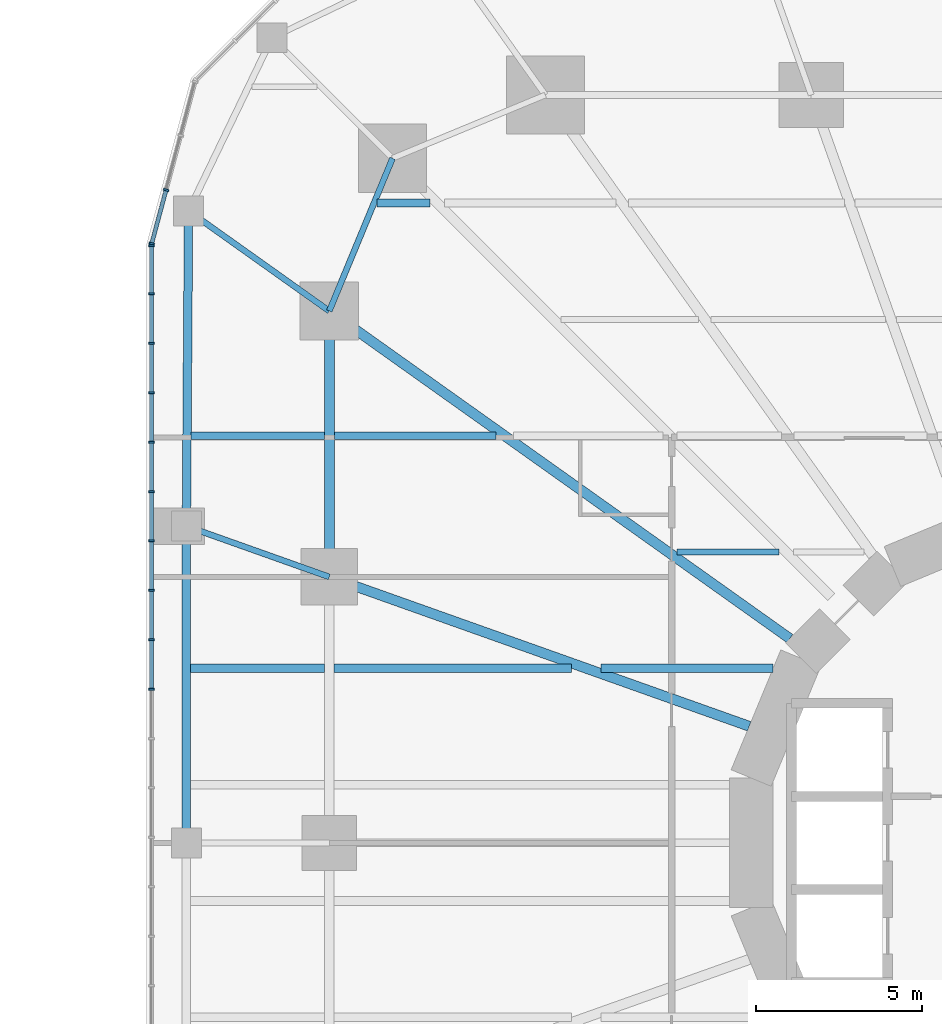
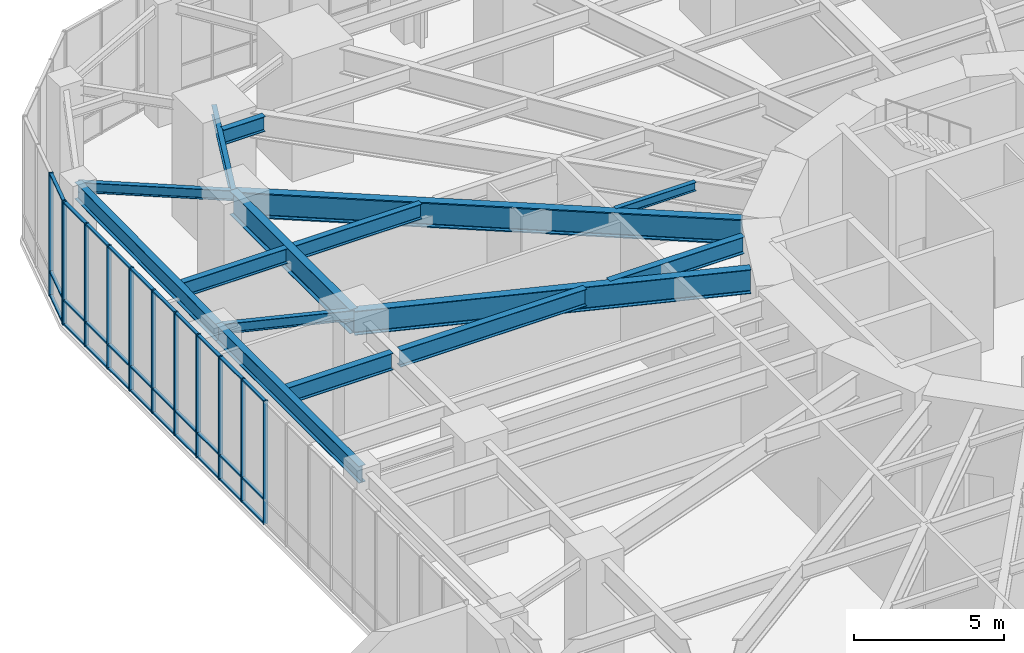
# One storey, part 9 of 24: 42 members, 15 beams, 2 elements without a shape of their own.
"""IFC4 building model written with IfcOpenShell, lengths in metres."""

from ifc_helpers import new_model, si_unit, direction, frame, origin, origin_2d, place, context, subcontext, project, spatial, rectangle, i_section, extrude, material, material_profile, profile_set, type_object, element, aggregate, save


model = new_model("IFC4")

# Units and contexts
model_context = context("Model", 3, precision=1e-05, world=origin(), true_north=direction((0.0, 1.0)))
body_context = subcontext(model_context, "Body", "Model", "MODEL_VIEW")
ifc_project = project(units=[si_unit("LENGTHUNIT", "METRE"), si_unit("AREAUNIT", "SQUARE_METRE"), si_unit("VOLUMEUNIT", "CUBIC_METRE"), si_unit("PLANEANGLEUNIT", "RADIAN"), si_unit("MASSUNIT", "GRAM", prefix="KILO")], contexts=[model_context])

# Site, building, storey
site_placement = place(None, origin())
site = spatial("IfcSite", under=ifc_project, at=site_placement, CompositionType="ELEMENT")
building_placement = place(site_placement, origin())
building = spatial("IfcBuilding", under=site, at=building_placement, Name="Nakasero Lantern House", CompositionType="ELEMENT")
storey_placement = place(building_placement, frame((0.0, 0.0, 6.0)))
storey = spatial("IfcBuildingStorey", under=building, at=storey_placement, Name="L01", CompositionType="ELEMENT", Elevation=6.0)

# Beams
ifc_material_1 = material(Name="Steel S355", Category="steel")
ifc_material_profile_1 = material_profile(ifc_material_1, i_section(OverallWidth=0.17138671875, OverallDepth=0.35498046875, WebThickness=0.00732421875, FlangeThickness=0.011474609375, FilletRadius=0.01025390625, at=origin_2d()), Name="UB 356x171x51")
ifc_profile_set_1 = profile_set([ifc_material_profile_1], Name="Steel S355")
beam_type_1 = type_object("IfcBeamType", Name="Infill beam UB 356x171x51", PredefinedType="JOIST", material=ifc_profile_set_1)
beam_1_placement = place(storey_placement, frame((-12.043212890625, 8.75, 4.62255859375), z_axis=(1.0, 0.0, 0.0), x_axis=(0.0, 1.0, 0.0)))
element("IfcBeam", 1, at=beam_1_placement, inside=storey, type_object=beam_type_1, Name="Infill beam L02 11.1", PredefinedType="JOIST", context=body_context, shape_type="SweptSolid", body=[
    extrude(i_section(OverallWidth=0.17138671875, OverallDepth=0.35498046875, WebThickness=0.00732421875, FlangeThickness=0.011474609375, FilletRadius=0.01025390625, at=origin_2d()), origin(), (0.0, 0.0, 1.0), 3.0771484375),
])
ifc_material_2 = material(Name="Steel S355", Category="steel")
ifc_material_profile_2 = material_profile(ifc_material_2, i_section(OverallWidth=0.22900390625, OverallDepth=0.6123046875, WebThickness=0.011962890625, FlangeThickness=0.01953125, FilletRadius=0.0126953125, at=origin_2d()), Name="UB 610x229x125")
ifc_profile_set_2 = profile_set([ifc_material_profile_2], Name="Steel S355")
beam_type_2 = type_object("IfcBeamType", Name="Infill beam UB 610x229x125", PredefinedType="JOIST", material=ifc_profile_set_2)
beam_2_placement = place(storey_placement, frame((-26.653076171875, 12.25, 4.493896484375), z_axis=(1.0, 0.0, 0.0), x_axis=(0.0, 1.0, 0.0)))
element("IfcBeam", 2, at=beam_2_placement, inside=storey, type_object=beam_type_2, Name="Infill beam L02 12.1", PredefinedType="JOIST", context=body_context, shape_type="SweptSolid", body=[
    extrude(i_section(OverallWidth=0.22900390625, OverallDepth=0.6123046875, WebThickness=0.011962890625, FlangeThickness=0.01953125, FilletRadius=0.0126953125, at=origin_2d()), origin(), (0.0, 0.0, 1.0), 4.003173828125),
])
beam_3_placement = place(storey_placement, frame((-22.35009765625, 12.25, 4.493896484375), z_axis=(1.0, 0.0, 0.0), x_axis=(0.0, 1.0, 0.0)))
element("IfcBeam", 3, at=beam_3_placement, inside=storey, type_object=beam_type_2, Name="Infill beam L02 12.2", PredefinedType="JOIST", context=body_context, shape_type="SweptSolid", body=[
    extrude(i_section(OverallWidth=0.22900390625, OverallDepth=0.6123046875, WebThickness=0.011962890625, FlangeThickness=0.01953125, FilletRadius=0.0126953125, at=origin_2d()), origin(), (0.0, 0.0, 1.0), 4.862060546875),
])
beam_4_placement = place(storey_placement, frame((-21.0576171875, 19.25, 4.493896484375), z_axis=(1.0, 0.0, 0.0), x_axis=(0.0, 1.0, 0.0)))
element("IfcBeam", 4, at=beam_4_placement, inside=storey, type_object=beam_type_2, Name="Infill beam L02 14.1", PredefinedType="JOIST", context=body_context, shape_type="SweptSolid", body=[
    extrude(i_section(OverallWidth=0.22900390625, OverallDepth=0.6123046875, WebThickness=0.011962890625, FlangeThickness=0.01953125, FilletRadius=0.0126953125, at=origin_2d()), origin(), (0.0, 0.0, 1.0), 1.591552734375),
])
ifc_material_3 = material(Name="Steel S355", Category="steel")
ifc_material_profile_3 = material_profile(ifc_material_3, i_section(OverallWidth=0.253662109375, OverallDepth=0.68359375, WebThickness=0.012451171875, FlangeThickness=0.01904296875, FilletRadius=0.01513671875, at=origin_2d()), Name="UB 686x254x140")
ifc_profile_set_3 = profile_set([ifc_material_profile_3], Name="Steel S355")
beam_type_3 = type_object("IfcBeamType", Name="Infill beam UB 686x254x140", PredefinedType="JOIST", material=ifc_profile_set_3)
beam_5_placement = place(storey_placement, frame((-26.672119140625, 5.25, 4.458251953125), z_axis=(1.0, 0.0, 0.0), x_axis=(0.0, 1.0, 0.0)))
element("IfcBeam", 5, at=beam_5_placement, inside=storey, type_object=beam_type_3, Name="Infill beam L02 10.1", PredefinedType="JOIST", context=body_context, shape_type="SweptSolid", body=[
    extrude(i_section(OverallWidth=0.253662109375, OverallDepth=0.68359375, WebThickness=0.012451171875, FlangeThickness=0.01904296875, FilletRadius=0.01513671875, at=origin_2d()), origin(), (0.0, 0.0, 1.0), 4.02587890625),
])
beam_6_placement = place(storey_placement, frame((-22.353759765625, 5.25, 4.458251953125), z_axis=(1.0, 0.0, 0.0), x_axis=(0.0, 1.0, 0.0)))
element("IfcBeam", 6, at=beam_6_placement, inside=storey, type_object=beam_type_3, Name="Infill beam L02 10.2", PredefinedType="JOIST", context=body_context, shape_type="SweptSolid", body=[
    extrude(i_section(OverallWidth=0.253662109375, OverallDepth=0.68359375, WebThickness=0.012451171875, FlangeThickness=0.01904296875, FilletRadius=0.01513671875, at=origin_2d()), origin(), (0.0, 0.0, 1.0), 7.140380859375),
])
beam_7_placement = place(storey_placement, frame((-14.31787109375, 5.25, 4.458251953125), z_axis=(1.0, 0.0, 0.0), x_axis=(0.0, 1.0, 0.0)))
element("IfcBeam", 7, at=beam_7_placement, inside=storey, type_object=beam_type_3, Name="Infill beam L02 10.3", PredefinedType="JOIST", context=body_context, shape_type="SweptSolid", body=[
    extrude(i_section(OverallWidth=0.253662109375, OverallDepth=0.68359375, WebThickness=0.012451171875, FlangeThickness=0.01904296875, FilletRadius=0.01513671875, at=origin_2d()), origin(), (0.0, 0.0, 1.0), 5.173095703125),
])

# Curtain wall, members
ifc_material_4 = material(Name="Aluminium 6063-T6 and glass", Category="aluminium")
curtain_wall_type = type_object("IfcCurtainWallType", Name="Podium curtain wall CW-2", PredefinedType="USERDEFINED", material=ifc_material_4)
curtain_wall_1_placement = place(storey_placement, origin())
curtain_wall_1 = element("IfcCurtainWall", 8, at=curtain_wall_1_placement, inside=storey, type_object=curtain_wall_type, Name="Curtain wall CW-2 L01", ObjectType="STICK CURTAIN WALL", PredefinedType="USERDEFINED")
ifc_material_5 = material(Name="Aluminium 6063-T6", Category="aluminium")
ifc_material_profile_4 = material_profile(ifc_material_5, rectangle(XDim=0.06005859375, YDim=0.159912109375, at=origin_2d()), Name="CW-2 mullion 60x160")
ifc_profile_set_4 = profile_set([ifc_material_profile_4], Name="Aluminium 6063-T6")
member_type_1 = type_object("IfcMemberType", Name="Mullion CW-2", PredefinedType="MULLION", material=ifc_profile_set_4)
member_1_placement = place(storey_placement, frame((-27.41015625, 19.6416015625, 0.0), z_axis=(0.0, 0.0, 1.0), x_axis=(-0.258819045103, -0.965925826289, 0.0)))
member_1 = element("IfcMember", 9, at=member_1_placement, type_object=member_type_1, Name="CW-2 mullion 3", PredefinedType="MULLION", context=body_context, shape_type="SweptSolid", body=[
    extrude(rectangle(XDim=0.06005859375, YDim=0.159912109375, at=origin_2d()), origin(), (0.0, 0.0, 1.0), 5.0),
])
member_2_placement = place(storey_placement, frame((-27.84228515625, 18.029052734375, 0.0), z_axis=(0.0, 0.0, 1.0), x_axis=(-0.258819045103, -0.965925826289, 0.0)))
member_2 = element("IfcMember", 10, at=member_2_placement, type_object=member_type_1, Name="CW-2 mullion 4", PredefinedType="MULLION", context=body_context, shape_type="SweptSolid", body=[
    extrude(rectangle(XDim=0.06005859375, YDim=0.159912109375, at=origin_2d()), origin(), (0.0, 0.0, 1.0), 5.0),
])

curtain_wall_2_placement = place(storey_placement, origin())
curtain_wall_2 = element("IfcCurtainWall", 11, at=curtain_wall_2_placement, inside=storey, type_object=curtain_wall_type, Name="Curtain wall CW-2 L01", ObjectType="STICK CURTAIN WALL", PredefinedType="USERDEFINED")
member_3_placement = place(storey_placement, frame((-27.85009765625, 17.969970703125, 0.0), z_axis=(0.0, 0.0, 1.0), x_axis=(0.0, -1.0, 0.0)))
member_3 = element("IfcMember", 12, at=member_3_placement, type_object=member_type_1, Name="CW-2 mullion 1", PredefinedType="MULLION", context=body_context, shape_type="SweptSolid", body=[
    extrude(rectangle(XDim=0.06005859375, YDim=0.159912109375, at=origin_2d()), origin(), (0.0, 0.0, 1.0), 5.0),
])
member_4_placement = place(storey_placement, frame((-27.85009765625, 16.513916015625, 0.0), z_axis=(0.0, 0.0, 1.0), x_axis=(0.0, -1.0, 0.0)))
member_4 = element("IfcMember", 13, at=member_4_placement, type_object=member_type_1, Name="CW-2 mullion 2", PredefinedType="MULLION", context=body_context, shape_type="SweptSolid", body=[
    extrude(rectangle(XDim=0.06005859375, YDim=0.159912109375, at=origin_2d()), origin(), (0.0, 0.0, 1.0), 5.0),
])
member_5_placement = place(storey_placement, frame((-27.85009765625, 15.02783203125, 0.0), z_axis=(0.0, 0.0, 1.0), x_axis=(0.0, -1.0, 0.0)))
member_5 = element("IfcMember", 14, at=member_5_placement, type_object=member_type_1, Name="CW-2 mullion 3", PredefinedType="MULLION", context=body_context, shape_type="SweptSolid", body=[
    extrude(rectangle(XDim=0.06005859375, YDim=0.159912109375, at=origin_2d()), origin(), (0.0, 0.0, 1.0), 5.0),
])
member_6_placement = place(storey_placement, frame((-27.85009765625, 13.541748046875, 0.0), z_axis=(0.0, 0.0, 1.0), x_axis=(0.0, -1.0, 0.0)))
member_6 = element("IfcMember", 15, at=member_6_placement, type_object=member_type_1, Name="CW-2 mullion 4", PredefinedType="MULLION", context=body_context, shape_type="SweptSolid", body=[
    extrude(rectangle(XDim=0.06005859375, YDim=0.159912109375, at=origin_2d()), origin(), (0.0, 0.0, 1.0), 5.0),
])
member_7_placement = place(storey_placement, frame((-27.85009765625, 12.0556640625, 0.0), z_axis=(0.0, 0.0, 1.0), x_axis=(0.0, -1.0, 0.0)))
member_7 = element("IfcMember", 16, at=member_7_placement, type_object=member_type_1, Name="CW-2 mullion 5", PredefinedType="MULLION", context=body_context, shape_type="SweptSolid", body=[
    extrude(rectangle(XDim=0.06005859375, YDim=0.159912109375, at=origin_2d()), origin(), (0.0, 0.0, 1.0), 5.0),
])
member_8_placement = place(storey_placement, frame((-27.85009765625, 10.5693359375, 0.0), z_axis=(0.0, 0.0, 1.0), x_axis=(0.0, -1.0, 0.0)))
member_8 = element("IfcMember", 17, at=member_8_placement, type_object=member_type_1, Name="CW-2 mullion 6", PredefinedType="MULLION", context=body_context, shape_type="SweptSolid", body=[
    extrude(rectangle(XDim=0.06005859375, YDim=0.159912109375, at=origin_2d()), origin(), (0.0, 0.0, 1.0), 5.0),
])
member_9_placement = place(storey_placement, frame((-27.85009765625, 9.083251953125, 0.0), z_axis=(0.0, 0.0, 1.0), x_axis=(0.0, -1.0, 0.0)))
member_9 = element("IfcMember", 18, at=member_9_placement, type_object=member_type_1, Name="CW-2 mullion 7", PredefinedType="MULLION", context=body_context, shape_type="SweptSolid", body=[
    extrude(rectangle(XDim=0.06005859375, YDim=0.159912109375, at=origin_2d()), origin(), (0.0, 0.0, 1.0), 5.0),
])
member_10_placement = place(storey_placement, frame((-27.85009765625, 7.59716796875, 0.0), z_axis=(0.0, 0.0, 1.0), x_axis=(0.0, -1.0, 0.0)))
member_10 = element("IfcMember", 19, at=member_10_placement, type_object=member_type_1, Name="CW-2 mullion 8", PredefinedType="MULLION", context=body_context, shape_type="SweptSolid", body=[
    extrude(rectangle(XDim=0.06005859375, YDim=0.159912109375, at=origin_2d()), origin(), (0.0, 0.0, 1.0), 5.0),
])
member_11_placement = place(storey_placement, frame((-27.85009765625, 6.111083984375, 0.0), z_axis=(0.0, 0.0, 1.0), x_axis=(0.0, -1.0, 0.0)))
member_11 = element("IfcMember", 20, at=member_11_placement, type_object=member_type_1, Name="CW-2 mullion 9", PredefinedType="MULLION", context=body_context, shape_type="SweptSolid", body=[
    extrude(rectangle(XDim=0.06005859375, YDim=0.159912109375, at=origin_2d()), origin(), (0.0, 0.0, 1.0), 5.0),
])
member_12_placement = place(storey_placement, frame((-27.85009765625, 4.625, 0.0), z_axis=(0.0, 0.0, 1.0), x_axis=(0.0, -1.0, 0.0)))
member_12 = element("IfcMember", 21, at=member_12_placement, type_object=member_type_1, Name="CW-2 mullion 10", PredefinedType="MULLION", context=body_context, shape_type="SweptSolid", body=[
    extrude(rectangle(XDim=0.06005859375, YDim=0.159912109375, at=origin_2d()), origin(), (0.0, 0.0, 1.0), 5.0),
])

# Beams
ifc_material_6 = material(Name="Steel S355", Category="steel")
ifc_material_profile_5 = material_profile(ifc_material_6, i_section(OverallWidth=0.300048828125, OverallDepth=0.97998046875, WebThickness=0.0166015625, FlangeThickness=0.02587890625, FilletRadius=0.030029296875, at=origin_2d()), Name="UB 1016x305x249")
ifc_profile_set_5 = profile_set([ifc_material_profile_5], Name="Steel S355")
beam_type_4 = type_object("IfcBeamType", Name="Primary beam UB 1016x305x249, span 12 to 15 m", PredefinedType="BEAM", material=ifc_profile_set_5)
beam_8_placement = place(storey_placement, frame((-22.5, 8.0, 4.31005859375), z_axis=(0.942214307118, -0.335010745293, 0.0), x_axis=(0.335010745293, 0.942214307118, 0.0)))
element("IfcBeam", 22, at=beam_8_placement, inside=storey, type_object=beam_type_4, Name="Primary beam L02 B1-C14", PredefinedType="BEAM", context=body_context, shape_type="SweptSolid", body=[
    extrude(i_section(OverallWidth=0.300048828125, OverallDepth=0.97998046875, WebThickness=0.0166015625, FlangeThickness=0.02587890625, FilletRadius=0.030029296875, at=origin_2d()), origin(), (0.0, 0.0, 1.0), 13.408447265625),
])
ifc_material_7 = material(Name="Steel S355", Category="steel")
ifc_material_profile_6 = material_profile(ifc_material_7, i_section(OverallWidth=0.302978515625, OverallDepth=1.015869140625, WebThickness=0.0244140625, FlangeThickness=0.0439453125, FilletRadius=0.030029296875, at=origin_2d()), Name="UB 1016x305x393")
ifc_profile_set_6 = profile_set([ifc_material_profile_6], Name="Steel S355")
beam_type_5 = type_object("IfcBeamType", Name="Primary beam UB 1016x305x393, span over 15 m", PredefinedType="BEAM", material=ifc_profile_set_6)
beam_9_placement = place(storey_placement, frame((-22.5, 16.0, 4.2919921875), z_axis=(0.814952159915, -0.579528236629, 0.0), x_axis=(0.579528236629, 0.814952159915, 0.0)))
element("IfcBeam", 23, at=beam_9_placement, inside=storey, type_object=beam_type_5, Name="Primary beam L02 B1-C13", PredefinedType="BEAM", context=body_context, shape_type="SweptSolid", body=[
    extrude(i_section(OverallWidth=0.302978515625, OverallDepth=1.015869140625, WebThickness=0.0244140625, FlangeThickness=0.0439453125, FilletRadius=0.030029296875, at=origin_2d()), origin(), (0.0, 0.0, 1.0), 17.003173828125),
])
ifc_material_8 = material(Name="Steel S355", Category="steel")
ifc_material_profile_7 = material_profile(ifc_material_8, i_section(OverallWidth=0.179443359375, OverallDepth=0.412841796875, WebThickness=0.009521484375, FlangeThickness=0.01611328125, FilletRadius=0.01025390625, at=origin_2d()), Name="UB 406x178x74")
ifc_profile_set_7 = profile_set([ifc_material_profile_7], Name="Steel S355")
beam_type_6 = type_object("IfcBeamType", Name="Primary beam UB 406x178x74, span to 6 m", PredefinedType="BEAM", material=ifc_profile_set_7)
beam_10_placement = place(storey_placement, frame((-26.733642578125, 19.0107421875, 4.593505859375), z_axis=(0.814941514044, -0.57954320692, 0.0), x_axis=(0.57954320692, 0.814941514044, 0.0)))
element("IfcBeam", 24, at=beam_10_placement, inside=storey, type_object=beam_type_6, Name="Primary beam L02 POD-C13", PredefinedType="BEAM", context=body_context, shape_type="SweptSolid", body=[
    extrude(i_section(OverallWidth=0.179443359375, OverallDepth=0.412841796875, WebThickness=0.009521484375, FlangeThickness=0.01611328125, FilletRadius=0.01025390625, at=origin_2d()), origin(), (0.0, 0.0, 1.0), 5.195068359375),
])
beam_11_placement = place(storey_placement, frame((-26.800048828125, 9.52880859375, 4.593505859375), z_axis=(0.942221444489, -0.334990670833, 0.0), x_axis=(0.334990670833, 0.942221444489, 0.0)))
element("IfcBeam", 25, at=beam_11_placement, inside=storey, type_object=beam_type_6, Name="Primary beam L02 POD-C14", PredefinedType="BEAM", context=body_context, shape_type="SweptSolid", body=[
    extrude(i_section(OverallWidth=0.179443359375, OverallDepth=0.412841796875, WebThickness=0.009521484375, FlangeThickness=0.01611328125, FilletRadius=0.01025390625, at=origin_2d()), origin(), (0.0, 0.0, 1.0), 4.563720703125),
])
ifc_material_9 = material(Name="Steel S355", Category="steel")
ifc_material_profile_8 = material_profile(ifc_material_9, i_section(OverallWidth=0.300048828125, OverallDepth=0.97021484375, WebThickness=0.01611328125, FlangeThickness=0.02099609375, FilletRadius=0.030029296875, at=origin_2d()), Name="UB 1016x305x222")
ifc_profile_set_8 = profile_set([ifc_material_profile_8], Name="Steel S355")
beam_type_7 = type_object("IfcBeamType", Name="Ring beam UB 1016x305x222", PredefinedType="BEAM", material=ifc_profile_set_8)
beam_12_placement = place(storey_placement, frame((-22.5, 16.0, 4.31494140625), z_axis=(0.0, -1.0, 0.0), x_axis=(1.0, 0.0, 0.0)))
element("IfcBeam", 26, at=beam_12_placement, inside=storey, type_object=beam_type_7, Name="Ring beam L02 B1-C13", PredefinedType="BEAM", context=body_context, shape_type="SweptSolid", body=[
    extrude(i_section(OverallWidth=0.300048828125, OverallDepth=0.97021484375, WebThickness=0.01611328125, FlangeThickness=0.02099609375, FilletRadius=0.030029296875, at=origin_2d()), origin(), (0.0, 0.0, 1.0), 8.0),
])
ifc_material_10 = material(Name="Steel S355", Category="steel")
ifc_material_profile_9 = material_profile(ifc_material_10, i_section(OverallWidth=0.177978515625, OverallDepth=0.406494140625, WebThickness=0.0078125, FlangeThickness=0.0126953125, FilletRadius=0.01025390625, at=origin_2d()), Name="UB 406x178x60")
ifc_profile_set_9 = profile_set([ifc_material_profile_9], Name="Steel S355")
beam_type_8 = type_object("IfcBeamType", Name="Ring beam UB 406x178x60", PredefinedType="BEAM", material=ifc_profile_set_9)
beam_13_placement = place(storey_placement, frame((-20.59619140625, 20.59619140625, 4.5966796875), z_axis=(-0.382684080569, -0.923879264016, 0.0), x_axis=(0.923879264016, -0.382684080569, 0.0)))
element("IfcBeam", 27, at=beam_13_placement, inside=storey, type_object=beam_type_8, Name="Ring beam L02 B1-C12", PredefinedType="BEAM", context=body_context, shape_type="SweptSolid", body=[
    extrude(i_section(OverallWidth=0.177978515625, OverallDepth=0.406494140625, WebThickness=0.0078125, FlangeThickness=0.0126953125, FilletRadius=0.01025390625, at=origin_2d()), origin(), (0.0, 0.0, 1.0), 4.974853515625),
])
ifc_material_11 = material(Name="Steel S355", Category="steel")
ifc_material_profile_10 = material_profile(ifc_material_11, i_section(OverallWidth=0.255859375, OverallDepth=0.69287109375, WebThickness=0.014404296875, FlangeThickness=0.023681640625, FilletRadius=0.01513671875, at=origin_2d()), Name="UB 686x254x170")
ifc_profile_set_10 = profile_set([ifc_material_profile_10], Name="Steel S355")
beam_type_9 = type_object("IfcBeamType", Name="Ring beam UB 686x254x170", PredefinedType="BEAM", material=ifc_profile_set_10)
beam_14_placement = place(storey_placement, frame((-26.733642578125, 19.0107421875, 4.45361328125), z_axis=(-0.007003278482, -0.999975476745, 0.0), x_axis=(0.999975476745, -0.007003278482, 0.0)))
element("IfcBeam", 28, at=beam_14_placement, inside=storey, type_object=beam_type_9, Name="Ring beam L02 POD-C13", PredefinedType="BEAM", context=body_context, shape_type="SweptSolid", body=[
    extrude(i_section(OverallWidth=0.255859375, OverallDepth=0.69287109375, WebThickness=0.014404296875, FlangeThickness=0.023681640625, FilletRadius=0.01513671875, at=origin_2d()), origin(), (0.0, 0.0, 1.0), 9.482177734375),
])
beam_15_placement = place(storey_placement, frame((-26.800048828125, 9.52880859375, 4.45361328125), z_axis=(0.0, -1.0, 0.0), x_axis=(1.0, 0.0, 0.0)))
element("IfcBeam", 29, at=beam_15_placement, inside=storey, type_object=beam_type_9, Name="Ring beam L02 POD-C14", PredefinedType="BEAM", context=body_context, shape_type="SweptSolid", body=[
    extrude(i_section(OverallWidth=0.255859375, OverallDepth=0.69287109375, WebThickness=0.014404296875, FlangeThickness=0.023681640625, FilletRadius=0.01513671875, at=origin_2d()), origin(), (0.0, 0.0, 1.0), 9.52880859375),
])

# Member
ifc_material_12 = material(Name="Aluminium 6063-T6", Category="aluminium")
ifc_material_profile_11 = material_profile(ifc_material_12, rectangle(XDim=0.06005859375, YDim=0.1201171875, at=origin_2d()), Name="CW-2 transom 60x120")
ifc_profile_set_11 = profile_set([ifc_material_profile_11], Name="Aluminium 6063-T6")
member_type_2 = type_object("IfcMemberType", Name="Transom CW-2", PredefinedType="USERDEFINED", material=ifc_profile_set_11)
member_13_placement = place(storey_placement, frame((-27.41796875, 19.61279296875, 0.030029296875), z_axis=(-0.258738612203, -0.96594737463, 0.0), x_axis=(0.0, 0.0, 1.0)))
member_13 = element("IfcMember", 30, at=member_13_placement, type_object=member_type_2, Name="CW-2 transom 3.1", ObjectType="TRANSOM", PredefinedType="USERDEFINED", context=body_context, shape_type="SweptSolid", body=[
    extrude(rectangle(XDim=0.06005859375, YDim=0.1201171875, at=origin_2d()), origin(), (0.0, 0.0, 1.0), 1.60986328125),
])

member_14_placement = place(storey_placement, frame((-27.41796875, 19.61279296875, 1.0), z_axis=(-0.258738612203, -0.96594737463, 0.0), x_axis=(0.0, 0.0, 1.0)))
member_14 = element("IfcMember", 31, at=member_14_placement, type_object=member_type_2, Name="CW-2 transom 3.2", ObjectType="TRANSOM", PredefinedType="USERDEFINED", context=body_context, shape_type="SweptSolid", body=[
    extrude(rectangle(XDim=0.06005859375, YDim=0.1201171875, at=origin_2d()), origin(), (0.0, 0.0, 1.0), 1.60986328125),
])

member_15_placement = place(storey_placement, frame((-27.41796875, 19.61279296875, 4.969970703125), z_axis=(-0.258738612203, -0.96594737463, 0.0), x_axis=(0.0, 0.0, 1.0)))
member_15 = element("IfcMember", 32, at=member_15_placement, type_object=member_type_2, Name="CW-2 transom 3.3", ObjectType="TRANSOM", PredefinedType="USERDEFINED", context=body_context, shape_type="SweptSolid", body=[
    extrude(rectangle(XDim=0.06005859375, YDim=0.1201171875, at=origin_2d()), origin(), (0.0, 0.0, 1.0), 1.60986328125),
])

aggregate(curtain_wall_1, [member_1, member_2, member_13, member_14, member_15])

member_16_placement = place(storey_placement, frame((-27.85009765625, 17.93994140625, 0.030029296875), z_axis=(0.0, -1.0, 0.0), x_axis=(0.0, 0.0, 1.0)))
member_16 = element("IfcMember", 33, at=member_16_placement, type_object=member_type_2, Name="CW-2 transom 1.1", ObjectType="TRANSOM", PredefinedType="USERDEFINED", context=body_context, shape_type="SweptSolid", body=[
    extrude(rectangle(XDim=0.06005859375, YDim=0.1201171875, at=origin_2d()), origin(), (0.0, 0.0, 1.0), 1.39599609375),
])

member_17_placement = place(storey_placement, frame((-27.85009765625, 17.93994140625, 1.0), z_axis=(0.0, -1.0, 0.0), x_axis=(0.0, 0.0, 1.0)))
member_17 = element("IfcMember", 34, at=member_17_placement, type_object=member_type_2, Name="CW-2 transom 1.2", ObjectType="TRANSOM", PredefinedType="USERDEFINED", context=body_context, shape_type="SweptSolid", body=[
    extrude(rectangle(XDim=0.06005859375, YDim=0.1201171875, at=origin_2d()), origin(), (0.0, 0.0, 1.0), 1.39599609375),
])

member_18_placement = place(storey_placement, frame((-27.85009765625, 17.93994140625, 4.969970703125), z_axis=(0.0, -1.0, 0.0), x_axis=(0.0, 0.0, 1.0)))
member_18 = element("IfcMember", 35, at=member_18_placement, type_object=member_type_2, Name="CW-2 transom 1.3", ObjectType="TRANSOM", PredefinedType="USERDEFINED", context=body_context, shape_type="SweptSolid", body=[
    extrude(rectangle(XDim=0.06005859375, YDim=0.1201171875, at=origin_2d()), origin(), (0.0, 0.0, 1.0), 1.39599609375),
])

member_19_placement = place(storey_placement, frame((-27.85009765625, 16.48388671875, 0.030029296875), z_axis=(0.0, -1.0, 0.0), x_axis=(0.0, 0.0, 1.0)))
member_19 = element("IfcMember", 36, at=member_19_placement, type_object=member_type_2, Name="CW-2 transom 2.1", ObjectType="TRANSOM", PredefinedType="USERDEFINED", context=body_context, shape_type="SweptSolid", body=[
    extrude(rectangle(XDim=0.06005859375, YDim=0.1201171875, at=origin_2d()), origin(), (0.0, 0.0, 1.0), 1.426025390625),
])

member_20_placement = place(storey_placement, frame((-27.85009765625, 16.48388671875, 1.0), z_axis=(0.0, -1.0, 0.0), x_axis=(0.0, 0.0, 1.0)))
member_20 = element("IfcMember", 37, at=member_20_placement, type_object=member_type_2, Name="CW-2 transom 2.2", ObjectType="TRANSOM", PredefinedType="USERDEFINED", context=body_context, shape_type="SweptSolid", body=[
    extrude(rectangle(XDim=0.06005859375, YDim=0.1201171875, at=origin_2d()), origin(), (0.0, 0.0, 1.0), 1.426025390625),
])

member_21_placement = place(storey_placement, frame((-27.85009765625, 16.48388671875, 4.969970703125), z_axis=(0.0, -1.0, 0.0), x_axis=(0.0, 0.0, 1.0)))
member_21 = element("IfcMember", 38, at=member_21_placement, type_object=member_type_2, Name="CW-2 transom 2.3", ObjectType="TRANSOM", PredefinedType="USERDEFINED", context=body_context, shape_type="SweptSolid", body=[
    extrude(rectangle(XDim=0.06005859375, YDim=0.1201171875, at=origin_2d()), origin(), (0.0, 0.0, 1.0), 1.426025390625),
])

member_22_placement = place(storey_placement, frame((-27.85009765625, 14.997802734375, 0.030029296875), z_axis=(0.0, -1.0, 0.0), x_axis=(0.0, 0.0, 1.0)))
member_22 = element("IfcMember", 39, at=member_22_placement, type_object=member_type_2, Name="CW-2 transom 3.1", ObjectType="TRANSOM", PredefinedType="USERDEFINED", context=body_context, shape_type="SweptSolid", body=[
    extrude(rectangle(XDim=0.06005859375, YDim=0.1201171875, at=origin_2d()), origin(), (0.0, 0.0, 1.0), 1.426025390625),
])

member_23_placement = place(storey_placement, frame((-27.85009765625, 14.997802734375, 1.0), z_axis=(0.0, -1.0, 0.0), x_axis=(0.0, 0.0, 1.0)))
member_23 = element("IfcMember", 40, at=member_23_placement, type_object=member_type_2, Name="CW-2 transom 3.2", ObjectType="TRANSOM", PredefinedType="USERDEFINED", context=body_context, shape_type="SweptSolid", body=[
    extrude(rectangle(XDim=0.06005859375, YDim=0.1201171875, at=origin_2d()), origin(), (0.0, 0.0, 1.0), 1.426025390625),
])

member_24_placement = place(storey_placement, frame((-27.85009765625, 14.997802734375, 4.969970703125), z_axis=(0.0, -1.0, 0.0), x_axis=(0.0, 0.0, 1.0)))
member_24 = element("IfcMember", 41, at=member_24_placement, type_object=member_type_2, Name="CW-2 transom 3.3", ObjectType="TRANSOM", PredefinedType="USERDEFINED", context=body_context, shape_type="SweptSolid", body=[
    extrude(rectangle(XDim=0.06005859375, YDim=0.1201171875, at=origin_2d()), origin(), (0.0, 0.0, 1.0), 1.426025390625),
])

member_25_placement = place(storey_placement, frame((-27.85009765625, 13.51171875, 0.030029296875), z_axis=(0.0, -1.0, 0.0), x_axis=(0.0, 0.0, 1.0)))
member_25 = element("IfcMember", 42, at=member_25_placement, type_object=member_type_2, Name="CW-2 transom 4.1", ObjectType="TRANSOM", PredefinedType="USERDEFINED", context=body_context, shape_type="SweptSolid", body=[
    extrude(rectangle(XDim=0.06005859375, YDim=0.1201171875, at=origin_2d()), origin(), (0.0, 0.0, 1.0), 1.42626953125),
])

member_26_placement = place(storey_placement, frame((-27.85009765625, 13.51171875, 1.0), z_axis=(0.0, -1.0, 0.0), x_axis=(0.0, 0.0, 1.0)))
member_26 = element("IfcMember", 43, at=member_26_placement, type_object=member_type_2, Name="CW-2 transom 4.2", ObjectType="TRANSOM", PredefinedType="USERDEFINED", context=body_context, shape_type="SweptSolid", body=[
    extrude(rectangle(XDim=0.06005859375, YDim=0.1201171875, at=origin_2d()), origin(), (0.0, 0.0, 1.0), 1.42626953125),
])

member_27_placement = place(storey_placement, frame((-27.85009765625, 13.51171875, 4.969970703125), z_axis=(0.0, -1.0, 0.0), x_axis=(0.0, 0.0, 1.0)))
member_27 = element("IfcMember", 44, at=member_27_placement, type_object=member_type_2, Name="CW-2 transom 4.3", ObjectType="TRANSOM", PredefinedType="USERDEFINED", context=body_context, shape_type="SweptSolid", body=[
    extrude(rectangle(XDim=0.06005859375, YDim=0.1201171875, at=origin_2d()), origin(), (0.0, 0.0, 1.0), 1.42626953125),
])

member_28_placement = place(storey_placement, frame((-27.85009765625, 12.025634765625, 0.030029296875), z_axis=(0.0, -1.0, 0.0), x_axis=(0.0, 0.0, 1.0)))
member_28 = element("IfcMember", 45, at=member_28_placement, type_object=member_type_2, Name="CW-2 transom 5.1", ObjectType="TRANSOM", PredefinedType="USERDEFINED", context=body_context, shape_type="SweptSolid", body=[
    extrude(rectangle(XDim=0.06005859375, YDim=0.1201171875, at=origin_2d()), origin(), (0.0, 0.0, 1.0), 1.42626953125),
])

member_29_placement = place(storey_placement, frame((-27.85009765625, 12.025634765625, 1.0), z_axis=(0.0, -1.0, 0.0), x_axis=(0.0, 0.0, 1.0)))
member_29 = element("IfcMember", 46, at=member_29_placement, type_object=member_type_2, Name="CW-2 transom 5.2", ObjectType="TRANSOM", PredefinedType="USERDEFINED", context=body_context, shape_type="SweptSolid", body=[
    extrude(rectangle(XDim=0.06005859375, YDim=0.1201171875, at=origin_2d()), origin(), (0.0, 0.0, 1.0), 1.42626953125),
])

member_30_placement = place(storey_placement, frame((-27.85009765625, 12.025634765625, 4.969970703125), z_axis=(0.0, -1.0, 0.0), x_axis=(0.0, 0.0, 1.0)))
member_30 = element("IfcMember", 47, at=member_30_placement, type_object=member_type_2, Name="CW-2 transom 5.3", ObjectType="TRANSOM", PredefinedType="USERDEFINED", context=body_context, shape_type="SweptSolid", body=[
    extrude(rectangle(XDim=0.06005859375, YDim=0.1201171875, at=origin_2d()), origin(), (0.0, 0.0, 1.0), 1.42626953125),
])

member_31_placement = place(storey_placement, frame((-27.85009765625, 10.53955078125, 0.030029296875), z_axis=(0.0, -1.0, 0.0), x_axis=(0.0, 0.0, 1.0)))
member_31 = element("IfcMember", 48, at=member_31_placement, type_object=member_type_2, Name="CW-2 transom 6.1", ObjectType="TRANSOM", PredefinedType="USERDEFINED", context=body_context, shape_type="SweptSolid", body=[
    extrude(rectangle(XDim=0.06005859375, YDim=0.1201171875, at=origin_2d()), origin(), (0.0, 0.0, 1.0), 1.42626953125),
])

member_32_placement = place(storey_placement, frame((-27.85009765625, 10.53955078125, 1.0), z_axis=(0.0, -1.0, 0.0), x_axis=(0.0, 0.0, 1.0)))
member_32 = element("IfcMember", 49, at=member_32_placement, type_object=member_type_2, Name="CW-2 transom 6.2", ObjectType="TRANSOM", PredefinedType="USERDEFINED", context=body_context, shape_type="SweptSolid", body=[
    extrude(rectangle(XDim=0.06005859375, YDim=0.1201171875, at=origin_2d()), origin(), (0.0, 0.0, 1.0), 1.42626953125),
])

member_33_placement = place(storey_placement, frame((-27.85009765625, 10.53955078125, 4.969970703125), z_axis=(0.0, -1.0, 0.0), x_axis=(0.0, 0.0, 1.0)))
member_33 = element("IfcMember", 50, at=member_33_placement, type_object=member_type_2, Name="CW-2 transom 6.3", ObjectType="TRANSOM", PredefinedType="USERDEFINED", context=body_context, shape_type="SweptSolid", body=[
    extrude(rectangle(XDim=0.06005859375, YDim=0.1201171875, at=origin_2d()), origin(), (0.0, 0.0, 1.0), 1.42626953125),
])

member_34_placement = place(storey_placement, frame((-27.85009765625, 9.05322265625, 0.030029296875), z_axis=(0.0, -1.0, 0.0), x_axis=(0.0, 0.0, 1.0)))
member_34 = element("IfcMember", 51, at=member_34_placement, type_object=member_type_2, Name="CW-2 transom 7.1", ObjectType="TRANSOM", PredefinedType="USERDEFINED", context=body_context, shape_type="SweptSolid", body=[
    extrude(rectangle(XDim=0.06005859375, YDim=0.1201171875, at=origin_2d()), origin(), (0.0, 0.0, 1.0), 1.426025390625),
])

member_35_placement = place(storey_placement, frame((-27.85009765625, 9.05322265625, 1.0), z_axis=(0.0, -1.0, 0.0), x_axis=(0.0, 0.0, 1.0)))
member_35 = element("IfcMember", 52, at=member_35_placement, type_object=member_type_2, Name="CW-2 transom 7.2", ObjectType="TRANSOM", PredefinedType="USERDEFINED", context=body_context, shape_type="SweptSolid", body=[
    extrude(rectangle(XDim=0.06005859375, YDim=0.1201171875, at=origin_2d()), origin(), (0.0, 0.0, 1.0), 1.426025390625),
])

member_36_placement = place(storey_placement, frame((-27.85009765625, 9.05322265625, 4.969970703125), z_axis=(0.0, -1.0, 0.0), x_axis=(0.0, 0.0, 1.0)))
member_36 = element("IfcMember", 53, at=member_36_placement, type_object=member_type_2, Name="CW-2 transom 7.3", ObjectType="TRANSOM", PredefinedType="USERDEFINED", context=body_context, shape_type="SweptSolid", body=[
    extrude(rectangle(XDim=0.06005859375, YDim=0.1201171875, at=origin_2d()), origin(), (0.0, 0.0, 1.0), 1.426025390625),
])

member_37_placement = place(storey_placement, frame((-27.85009765625, 7.567138671875, 0.030029296875), z_axis=(0.0, -1.0, 0.0), x_axis=(0.0, 0.0, 1.0)))
member_37 = element("IfcMember", 54, at=member_37_placement, type_object=member_type_2, Name="CW-2 transom 8.1", ObjectType="TRANSOM", PredefinedType="USERDEFINED", context=body_context, shape_type="SweptSolid", body=[
    extrude(rectangle(XDim=0.06005859375, YDim=0.1201171875, at=origin_2d()), origin(), (0.0, 0.0, 1.0), 1.426025390625),
])

member_38_placement = place(storey_placement, frame((-27.85009765625, 7.567138671875, 1.0), z_axis=(0.0, -1.0, 0.0), x_axis=(0.0, 0.0, 1.0)))
member_38 = element("IfcMember", 55, at=member_38_placement, type_object=member_type_2, Name="CW-2 transom 8.2", ObjectType="TRANSOM", PredefinedType="USERDEFINED", context=body_context, shape_type="SweptSolid", body=[
    extrude(rectangle(XDim=0.06005859375, YDim=0.1201171875, at=origin_2d()), origin(), (0.0, 0.0, 1.0), 1.426025390625),
])

member_39_placement = place(storey_placement, frame((-27.85009765625, 7.567138671875, 4.969970703125), z_axis=(0.0, -1.0, 0.0), x_axis=(0.0, 0.0, 1.0)))
member_39 = element("IfcMember", 56, at=member_39_placement, type_object=member_type_2, Name="CW-2 transom 8.3", ObjectType="TRANSOM", PredefinedType="USERDEFINED", context=body_context, shape_type="SweptSolid", body=[
    extrude(rectangle(XDim=0.06005859375, YDim=0.1201171875, at=origin_2d()), origin(), (0.0, 0.0, 1.0), 1.426025390625),
])

member_40_placement = place(storey_placement, frame((-27.85009765625, 6.0810546875, 0.030029296875), z_axis=(0.0, -1.0, 0.0), x_axis=(0.0, 0.0, 1.0)))
member_40 = element("IfcMember", 57, at=member_40_placement, type_object=member_type_2, Name="CW-2 transom 9.1", ObjectType="TRANSOM", PredefinedType="USERDEFINED", context=body_context, shape_type="SweptSolid", body=[
    extrude(rectangle(XDim=0.06005859375, YDim=0.1201171875, at=origin_2d()), origin(), (0.0, 0.0, 1.0), 1.426025390625),
])

member_41_placement = place(storey_placement, frame((-27.85009765625, 6.0810546875, 1.0), z_axis=(0.0, -1.0, 0.0), x_axis=(0.0, 0.0, 1.0)))
member_41 = element("IfcMember", 58, at=member_41_placement, type_object=member_type_2, Name="CW-2 transom 9.2", ObjectType="TRANSOM", PredefinedType="USERDEFINED", context=body_context, shape_type="SweptSolid", body=[
    extrude(rectangle(XDim=0.06005859375, YDim=0.1201171875, at=origin_2d()), origin(), (0.0, 0.0, 1.0), 1.426025390625),
])

member_42_placement = place(storey_placement, frame((-27.85009765625, 6.0810546875, 4.969970703125), z_axis=(0.0, -1.0, 0.0), x_axis=(0.0, 0.0, 1.0)))
member_42 = element("IfcMember", 59, at=member_42_placement, type_object=member_type_2, Name="CW-2 transom 9.3", ObjectType="TRANSOM", PredefinedType="USERDEFINED", context=body_context, shape_type="SweptSolid", body=[
    extrude(rectangle(XDim=0.06005859375, YDim=0.1201171875, at=origin_2d()), origin(), (0.0, 0.0, 1.0), 1.426025390625),
])

aggregate(curtain_wall_2, [member_3, member_4, member_5, member_6, member_7, member_8, member_9, member_10, member_11, member_12, member_16, member_17, member_18, member_19, member_20, member_21, member_22, member_23, member_24, member_25, member_26, member_27, member_28, member_29, member_30, member_31, member_32, member_33, member_34, member_35, member_36, member_37, member_38, member_39, member_40, member_41, member_42])

save(model, "model.ifc")
